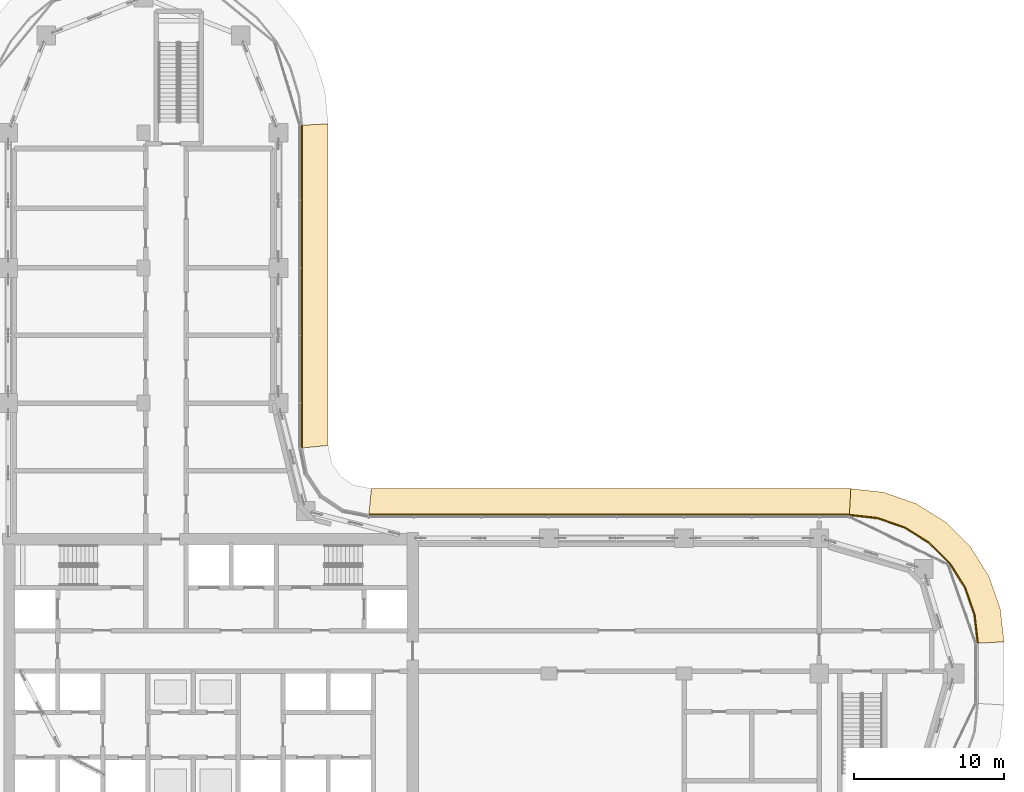
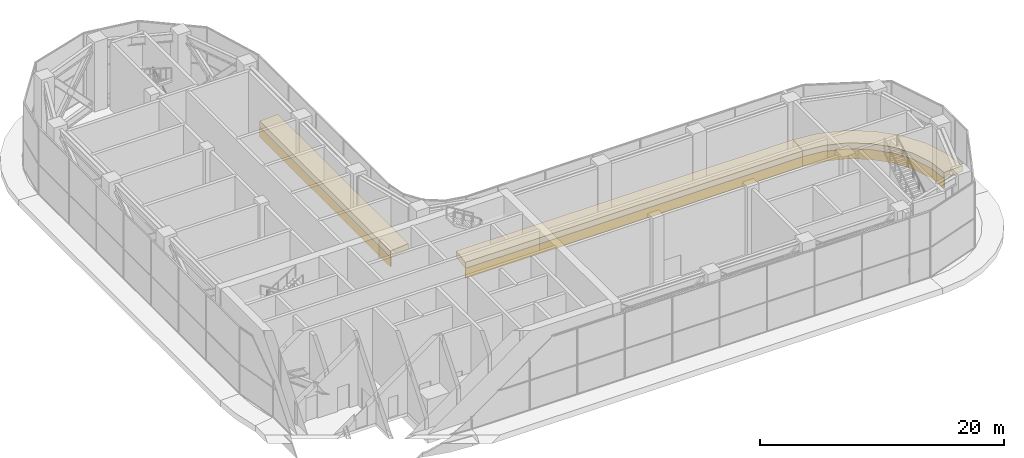
# One storey, part 32 of 35: 6 coverings.
"""IFC4 building model written with IfcOpenShell, lengths in metres."""

from ifc_helpers import new_model, si_unit, direction, frame, origin, place, context, subcontext, project, spatial, polyline, outline, extrude, material, layer, layer_set, type_object, element, save


model = new_model("IFC4")

# Units and contexts
model_context = context("Model", 3, precision=1e-05, world=origin(), true_north=direction((0.0, 1.0)))
body_context = subcontext(model_context, "Body", "Model", "MODEL_VIEW")
ifc_project = project(units=[si_unit("LENGTHUNIT", "METRE"), si_unit("AREAUNIT", "SQUARE_METRE"), si_unit("VOLUMEUNIT", "CUBIC_METRE"), si_unit("PLANEANGLEUNIT", "RADIAN"), si_unit("MASSUNIT", "GRAM", prefix="KILO")], contexts=[model_context])

# Site, building, storey
site_placement = place(None, origin())
site = spatial("IfcSite", under=ifc_project, at=site_placement, CompositionType="ELEMENT")
building_placement = place(site_placement, origin())
building = spatial("IfcBuilding", under=site, at=building_placement, Name="Ogive Portal Towers", CompositionType="ELEMENT")
storey_placement = place(building_placement, frame((0.0, 0.0, 135.199951171875)))
storey = spatial("IfcBuildingStorey", under=building, at=storey_placement, Name="L33", CompositionType="ELEMENT", Elevation=135.199951171875)

# Coverings
ifc_material = material(Name="Limestone cladding on lightweight block wall", Category="masonry")
ifc_layer_1 = layer(ifc_material, 0.080078125)
ifc_layer_set_1 = layer_set([ifc_layer_1], Name="STONE SPANDREL 80")
covering_type_1 = type_object("IfcCoveringType", Name="STONE SPANDREL 80", PredefinedType="CLADDING", material=ifc_layer_set_1)
covering_1_placement = place(storey_placement, frame((0.0, 0.0, -1.599853515625)))
element("IfcCovering", 1, at=covering_1_placement, inside=storey, type_object=covering_type_1, Name="Stone spandrel A1-F08", PredefinedType="CLADDING", context=body_context, shape_type="SweptSolid", body=[
    extrude(outline(polyline([(96.0, 32.5), (95.786865234375, 34.391357421875), (95.158203125, 36.18798828125), (94.1455078125, 37.799560546875), (92.799560546875, 39.1455078125), (91.18798828125, 40.158203125), (89.391357421875, 40.786865234375), (87.5, 41.0), (87.50439453125, 41.080078125), (89.409423828125, 40.865478515625), (91.222900390625, 40.230712890625), (92.849853515625, 39.20849609375), (94.20849609375, 37.849853515625), (95.230712890625, 36.222900390625), (95.865478515625, 34.409423828125), (96.080078125, 32.50439453125), (96.0, 32.5)])), origin(), (0.0, 0.0, 1.0), 1.0),
])
covering_2_placement = place(storey_placement, frame((0.0, 0.0, -1.599853515625)))
element("IfcCovering", 2, at=covering_2_placement, inside=storey, type_object=covering_type_1, Name="Stone spandrel A1-F09", PredefinedType="CLADDING", context=body_context, shape_type="SweptSolid", body=[
    extrude(outline(polyline([(87.5, 41.0), (55.5, 41.0), (55.5078125, 41.080078125), (87.50439453125, 41.080078125), (87.5, 41.0)])), origin(), (0.0, 0.0, 1.0), 1.0),
])
covering_3_placement = place(storey_placement, frame((0.0, 0.0, -1.599853515625)))
element("IfcCovering", 3, at=covering_3_placement, inside=storey, type_object=covering_type_1, Name="Stone spandrel A1-F11", PredefinedType="CLADDING", context=body_context, shape_type="SweptSolid", body=[
    extrude(outline(polyline([(51.0, 45.5), (51.0, 67.0), (51.080078125, 67.00390625), (51.080078125, 45.5078125), (51.0, 45.5)])), origin(), (0.0, 0.0, 1.0), 1.0),
])
ifc_layer_2 = layer(ifc_material, 0.60009765625)
ifc_layer_set_2 = layer_set([ifc_layer_2], Name="SUNSHADE LIP 600")
covering_type_2 = type_object("IfcCoveringType", Name="SUNSHADE LIP 600", PredefinedType="CLADDING", material=ifc_layer_set_2)
covering_4_placement = place(storey_placement, frame((0.0, 0.0, -0.599853515625)))
element("IfcCovering", 4, at=covering_4_placement, inside=storey, type_object=covering_type_2, Name="Sunshade lip A1-F08", PredefinedType="CLADDING", context=body_context, shape_type="SweptSolid", body=[
    extrude(outline(polyline([(96.0, 32.5), (95.786865234375, 34.391357421875), (95.158203125, 36.18798828125), (94.1455078125, 37.799560546875), (92.799560546875, 39.1455078125), (91.18798828125, 40.158203125), (89.391357421875, 40.786865234375), (87.5, 41.0), (87.60107421875, 42.800048828125), (89.79443359375, 42.552978515625), (91.973876953125, 41.790283203125), (93.928955078125, 40.561767578125), (95.561767578125, 38.928955078125), (96.790283203125, 36.973876953125), (97.552978515625, 34.79443359375), (97.800048828125, 32.60107421875), (96.0, 32.5)])), origin(), (0.0, 0.0, 1.0), 0.599853515625),
])
covering_5_placement = place(storey_placement, frame((0.0, 0.0, -0.599853515625)))
element("IfcCovering", 5, at=covering_5_placement, inside=storey, type_object=covering_type_2, Name="Sunshade lip A1-F09", PredefinedType="CLADDING", context=body_context, shape_type="SweptSolid", body=[
    extrude(outline(polyline([(87.5, 41.0), (55.5, 41.0), (55.67724609375, 42.800048828125), (87.60107421875, 42.800048828125), (87.5, 41.0)])), origin(), (0.0, 0.0, 1.0), 0.599853515625),
])
covering_6_placement = place(storey_placement, frame((0.0, 0.0, -0.599853515625)))
element("IfcCovering", 6, at=covering_6_placement, inside=storey, type_object=covering_type_2, Name="Sunshade lip A1-F11", PredefinedType="CLADDING", context=body_context, shape_type="SweptSolid", body=[
    extrude(outline(polyline([(51.0, 45.5), (51.0, 67.0), (52.800048828125, 67.08837890625), (52.800048828125, 45.67724609375), (51.0, 45.5)])), origin(), (0.0, 0.0, 1.0), 0.599853515625),
])

save(model, "model.ifc")
